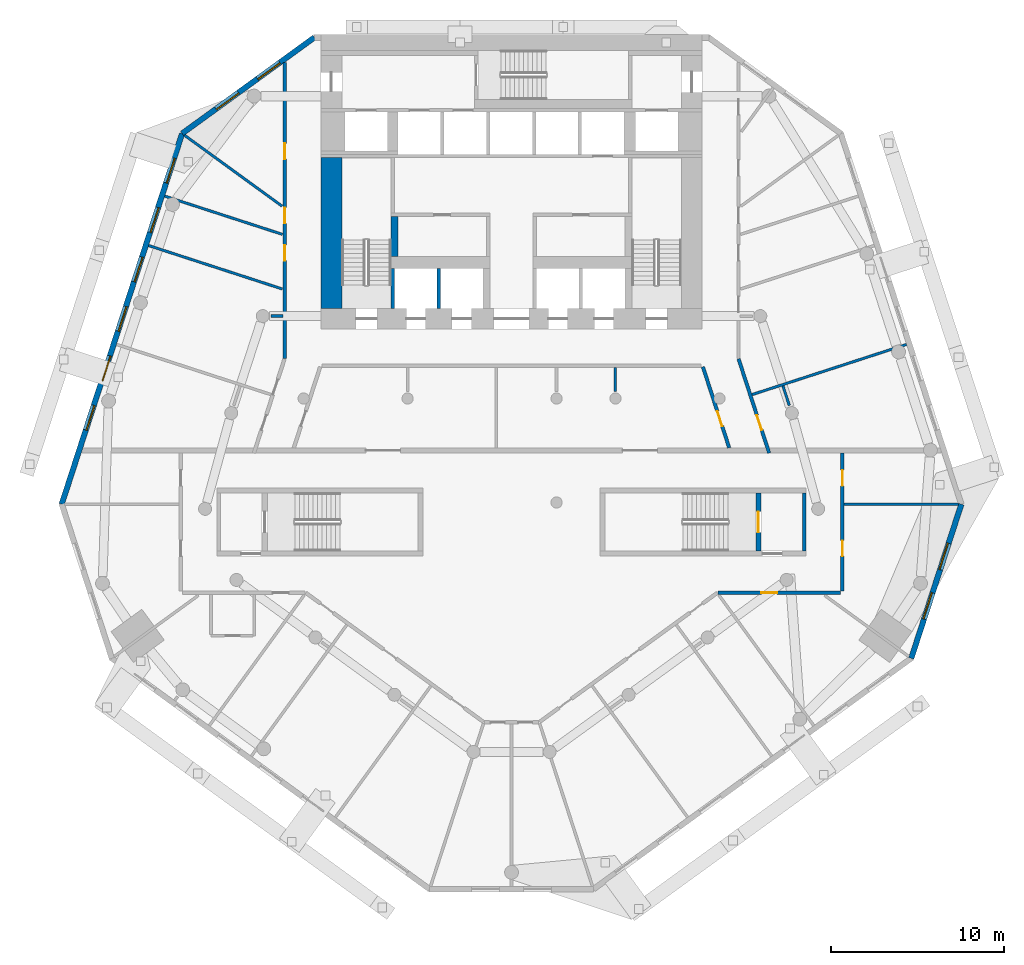
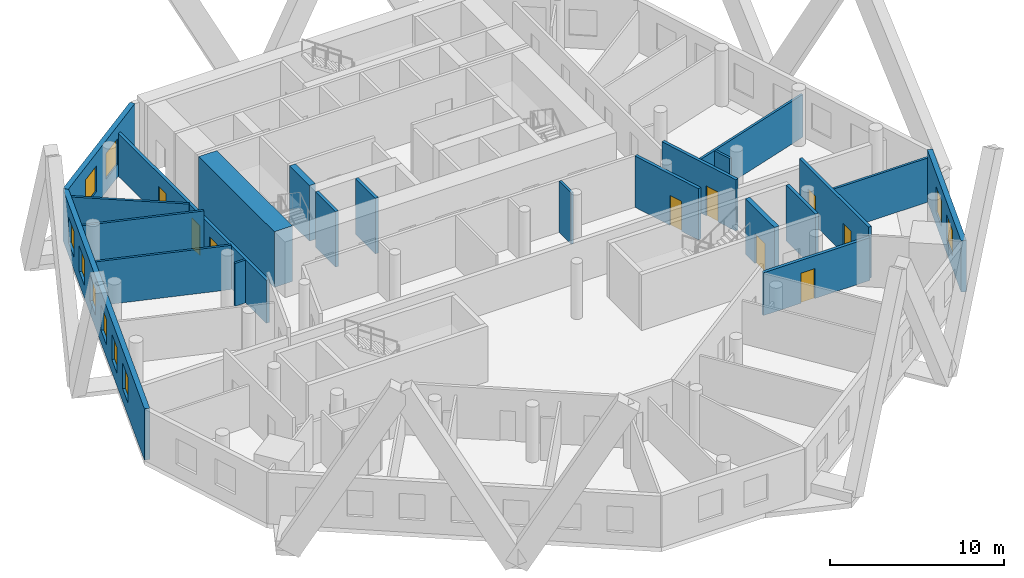
# One storey, part 5 of 10: 22 walls, 10 windows, 9 doors, 19 openings.
"""IFC4 building model written with IfcOpenShell, lengths in metres."""

import ifcopenshell
import ifcopenshell.guid

model = None  # the IFC model being written
_history = None  # IfcOwnerHistory: only IFC2X3 demands one
_inside = {}  # id of a spatial element -> (the spatial element, [elements in it])
_under = {}  # id of a project, library or spatial element -> (it, [spatial elements below it])
_declared = {}  # id of a project -> (the project, [libraries it declares])
_typed = {}  # id of a type object -> (the type object, [elements of that type])
_made_of = {}  # id of a material, layer set ... -> (it, [elements and type objects made of it])


def new_model(schema):
    """Start an empty IFC model of exactly this schema.

    Asked for "IFC4X3", IfcOpenShell would pick the latest addendum, in which some entities
    have other attributes; the version numbers below select the first issue.
    IFC2X3 requires an IfcOwnerHistory on every rooted entity: one is made here for all.
    """
    global model, _history
    if schema == "IFC4X3":
        model = ifcopenshell.file(schema_version=(4, 3, 0, 0))
    else:
        model = ifcopenshell.file(schema=schema)
    _inside.clear()
    _under.clear()
    _declared.clear()
    _typed.clear()
    _made_of.clear()
    _history = None
    if model.schema == "IFC2X3":
        org = make("IfcOrganization", Name="unknown")
        user = make(
            "IfcPersonAndOrganization",
            ThePerson=make("IfcPerson", FamilyName="unknown"),
            TheOrganization=org,
        )
        app = make(
            "IfcApplication",
            ApplicationDeveloper=org,
            Version="unknown",
            ApplicationFullName="unknown",
            ApplicationIdentifier="unknown",
        )
        _history = make(
            "IfcOwnerHistory",
            OwningUser=user,
            OwningApplication=app,
            ChangeAction="ADDED",
            CreationDate=0,
        )
    return model


def make(cls, **values):
    """One entity of the class cls with the attributes given. An attribute that is None is left unset."""
    return model.create_entity(
        cls, **{name: value for name, value in values.items() if value is not None}
    )


def rooted(cls, **values):
    """An entity with a GlobalId (a new one), such as an element, a storey or a relation."""
    return make(cls, GlobalId=ifcopenshell.guid.new(), OwnerHistory=_history, **values)


def si_unit(unit_type, name, prefix=None):
    """IfcSIUnit, for example si_unit("LENGTHUNIT", "METRE", prefix="MILLI")."""
    return make("IfcSIUnit", UnitType=unit_type, Prefix=prefix, Name=name)


def assignment(units):
    """IfcUnitAssignment: the units of a project."""
    return None if units is None else make("IfcUnitAssignment", Units=units)


def point(xyz):
    """IfcCartesianPoint."""
    return None if xyz is None else make("IfcCartesianPoint", Coordinates=xyz)


def direction(xyz):
    """IfcDirection."""
    return None if xyz is None else make("IfcDirection", DirectionRatios=xyz)


def frame(location, z_axis=None, x_axis=None):
    """IfcAxis2Placement3D, a coordinate frame: its origin and axes. An axis left out is left unset."""
    return make(
        "IfcAxis2Placement3D",
        Location=point(location),
        Axis=direction(z_axis),
        RefDirection=direction(x_axis),
    )


def frame_2d(location, x_axis=None):
    """IfcAxis2Placement2D, a coordinate frame in the plane: its origin and x axis."""
    return make(
        "IfcAxis2Placement2D", Location=point(location), RefDirection=direction(x_axis)
    )


def origin():
    """The frame at (0, 0, 0) with its axes left unset."""
    return frame((0.0, 0.0, 0.0))


def place(relative_to, where):
    """IfcLocalPlacement: puts the frame where relative to a parent placement (None: the world)."""
    return make(
        "IfcLocalPlacement", PlacementRelTo=relative_to, RelativePlacement=where
    )


def context(
    kind, dimensions, precision=None, world=None, true_north=None, identifier=None
):
    """IfcGeometricRepresentationContext, for example the 3D "Model" context."""
    return make(
        "IfcGeometricRepresentationContext",
        ContextIdentifier=identifier,
        ContextType=kind,
        CoordinateSpaceDimension=dimensions,
        Precision=precision,
        WorldCoordinateSystem=world,
        TrueNorth=true_north,
    )


def subcontext(parent, identifier, kind, view, scale=None):
    """IfcGeometricRepresentationSubContext, for example "Body" below "Model"."""
    return make(
        "IfcGeometricRepresentationSubContext",
        ContextIdentifier=identifier,
        ContextType=kind,
        ParentContext=parent,
        TargetScale=scale,
        TargetView=view,
    )


def project(units=None, contexts=None):
    """IfcProject with its units and contexts."""
    return rooted(
        "IfcProject",
        Name="project",
        RepresentationContexts=contexts,
        UnitsInContext=assignment(units),
    )


def spatial(cls, under=None, at=None, **own):
    """A site, building, storey or space (cls), placed at a placement, below another one or the project."""
    s = rooted(cls, ObjectPlacement=at, **own)
    if under is not None:
        _under.setdefault(under.id(), (under, []))[1].append(s)
    return s


def profile(cls, at=None, kind="AREA", **sizes):
    """A parametric profile (cls). Its sizes go by their IFC names, for example OverallWidth=200.0."""
    return make(cls, ProfileType=kind, Position=at, **sizes)


def rectangle(**sizes):
    """IfcRectangleProfileDef."""
    return profile("IfcRectangleProfileDef", **sizes)


def extrude(swept, where, along, depth):
    """IfcExtrudedAreaSolid: the profile swept, set in the frame where, extruded along a direction by depth."""
    return make(
        "IfcExtrudedAreaSolid",
        SweptArea=swept,
        Position=where,
        ExtrudedDirection=direction(along),
        Depth=depth,
    )


def shape(context_of_items, identifier, shape_type, items):
    """IfcShapeRepresentation: the items that make up one representation, for example the "Body"."""
    return make(
        "IfcShapeRepresentation",
        ContextOfItems=context_of_items,
        RepresentationIdentifier=identifier,
        RepresentationType=shape_type,
        Items=items,
    )


def material(Name=None, Category=None):
    """IfcMaterial."""
    return make("IfcMaterial", Name=Name, Category=Category)


def layer(
    of_material, thickness, ventilated=None, Name=None, Category=None, Priority=None
):
    """IfcMaterialLayer: one layer of a wall or slab, of a material (None: an air gap)."""
    return make(
        "IfcMaterialLayer",
        Material=of_material,
        LayerThickness=thickness,
        IsVentilated=ventilated,
        Name=Name,
        Category=Category,
        Priority=Priority,
    )


def layer_set(layers, Name=None):
    """IfcMaterialLayerSet."""
    return make("IfcMaterialLayerSet", MaterialLayers=layers, LayerSetName=Name)


def made_of(thing, what):
    """Note that an element or type object is made of a material, layer set ...; save() writes the relation."""
    if what is not None:
        _made_of.setdefault(what.id(), (what, []))[1].append(thing)
    return thing


def type_object(cls, material=None, **own):
    """A type object (cls), such as IfcWallType, which elements share."""
    return made_of(rooted(cls, **own), material)


def element(
    cls,
    number,
    at=None,
    inside=None,
    cuts=None,
    type_object=None,
    material=None,
    context=None,
    identifier="Body",
    shape_type=None,
    held_by="IfcProductDefinitionShape",
    body=None,
    shapes=None,
    **own,
):
    """One element of the class cls, such as IfcWall. Its Tag is "e" and its number.

    at: its placement. inside: the storey or other place that contains it. cuts: it is an
    opening in that element (IfcRelVoidsElement). A single representation is given by context,
    identifier, shape_type and body (its items); several are given by shapes. held_by: the class
    of the entity that holds the representations. save() writes the other relations.
    """
    e = rooted(cls, Tag="e%d" % number, ObjectPlacement=at, **own)
    if body is not None:
        shapes = [shape(context, identifier, shape_type, body)]
    if shapes is not None:
        e.Representation = make(held_by, Representations=shapes)
    if inside is not None:
        _inside.setdefault(inside.id(), (inside, []))[1].append(e)
    if cuts is not None:
        rooted(
            "IfcRelVoidsElement", RelatingBuildingElement=cuts, RelatedOpeningElement=e
        )
    if type_object is not None:
        _typed.setdefault(type_object.id(), (type_object, []))[1].append(e)
    return made_of(e, material)


def fill(opening, filler):
    """IfcRelFillsElement: the door or window that sits in an opening."""
    return rooted(
        "IfcRelFillsElement",
        RelatingOpeningElement=opening,
        RelatedBuildingElement=filler,
    )


def aggregate(whole, parts):
    """IfcRelAggregates: a whole, such as a stair, and the parts it consists of."""
    return rooted("IfcRelAggregates", RelatingObject=whole, RelatedObjects=parts)


def save(model, path):
    """Write the relations noted so far, then the file.

    IfcRelAggregates (storeys below a building ...), IfcRelContainedInSpatialStructure (elements
    in a storey), IfcRelDefinesByType, IfcRelAssociatesMaterial and IfcRelDeclares: one each for
    every whole, place, type object, material and project.
    """
    for whole, parts in _under.values():
        aggregate(whole, parts)
    for where, things in _inside.values():
        rooted(
            "IfcRelContainedInSpatialStructure",
            RelatedElements=things,
            RelatingStructure=where,
        )
    for kind, things in _typed.values():
        rooted("IfcRelDefinesByType", RelatedObjects=things, RelatingType=kind)
    for what, things in _made_of.values():
        rooted("IfcRelAssociatesMaterial", RelatedObjects=things, RelatingMaterial=what)
    for by, libraries in _declared.values():
        rooted("IfcRelDeclares", RelatingContext=by, RelatedDefinitions=libraries)
    model.write(path)


model = new_model("IFC4")

# Units and contexts
model_context = context("Model", 3, precision=1e-05, world=origin(), true_north=direction((0.0, 1.0)))
body_context = subcontext(model_context, "Body", "Model", "MODEL_VIEW")
ifc_project = project(units=[si_unit("LENGTHUNIT", "METRE"), si_unit("AREAUNIT", "SQUARE_METRE"), si_unit("VOLUMEUNIT", "CUBIC_METRE"), si_unit("PLANEANGLEUNIT", "RADIAN"), si_unit("MASSUNIT", "GRAM", prefix="KILO")], contexts=[model_context])

# Site, building, storey
site_placement = place(None, origin())
site = spatial("IfcSite", under=ifc_project, at=site_placement, CompositionType="ELEMENT")
building_placement = place(site_placement, origin())
building = spatial("IfcBuilding", under=site, at=building_placement, Name="White Candle Pilgrim Tower", CompositionType="ELEMENT")
storey_placement = place(building_placement, frame((0.0, 0.0, 66.300048828125)))
storey = spatial("IfcBuildingStorey", under=building, at=storey_placement, Name="L13", CompositionType="ELEMENT", Elevation=66.300048828125)

# Wall
ifc_material_1 = material(Name="Concrete C70/85", Category="concrete")
ifc_layer_1 = layer(ifc_material_1, 0.199951171875)
ifc_layer_set_1 = layer_set([ifc_layer_1], Name="Core wall 200 mm Concrete C70/85")
wall_type_1 = type_object("IfcWallType", Name="Core wall 200 mm Concrete C70/85", PredefinedType="SHEAR", material=ifc_layer_set_1)
wall_1_placement = place(storey_placement, frame((86.89990234375, 58.199951171875, 0.0), z_axis=(0.0, 0.0, 1.0), x_axis=(0.0, 1.0, 0.0)))
element("IfcWall", 1, at=wall_1_placement, inside=storey, type_object=wall_type_1, Name="WL-L13-C08", PredefinedType="SHEAR", context=body_context, shape_type="SweptSolid", body=[
    extrude(rectangle(XDim=3.35009765625, YDim=0.199951171875, at=frame_2d((1.675048828125, 0.0))), origin(), (0.0, 0.0, 1.0), 3.89990234375),
])

# Wall, openings, doors
ifc_material_2 = material(Name="Gypsum board on steel studs", Category="steel")
ifc_layer_2 = layer(ifc_material_2, 0.199951171875)
ifc_layer_set_2 = layer_set([ifc_layer_2], Name="Corridor wall 200 mm EI 45")
wall_type_2 = type_object("IfcWallType", Name="Corridor wall 200 mm EI 45", PredefinedType="PARTITIONING", material=ifc_layer_set_2)
wall_2_placement = place(storey_placement, frame((56.89990234375, 69.319091796875, 0.0), z_axis=(0.0, 0.0, 1.0), x_axis=(0.0, 1.0, 0.0)))
wall_2 = element("IfcWall", 2, at=wall_2_placement, inside=storey, type_object=wall_type_2, Name="WL-L13-P003", PredefinedType="PARTITIONING", context=body_context, shape_type="SweptSolid", body=[
    extrude(rectangle(XDim=17.0771484375, YDim=0.199951171875, at=frame_2d((8.53857421875, 0.0))), origin(), (0.0, 0.0, 1.0), 3.0),
])
opening_1_placement = place(wall_2_placement, frame((5.642578125, 0.0, 0.0)))
opening_1 = element("IfcOpeningElement", 3, at=opening_1_placement, cuts=wall_2, Name="Opening T04-119", PredefinedType="OPENING", context=body_context, shape_type="SweptSolid", body=[
    extrude(rectangle(XDim=0.89990234375, YDim=2.10009765625, at=frame_2d((0.449951171875, 1.050048828125))), frame((0.0, 0.10986328125, 0.0), z_axis=(0.0, -1.0, 0.0), x_axis=(1.0, 0.0, 0.0)), (0.0, 0.0, 1.0), 0.219970703125),
])
opening_2_placement = place(wall_2_placement, frame((7.797119140625, 0.0, 0.0)))
opening_2 = element("IfcOpeningElement", 4, at=opening_2_placement, cuts=wall_2, Name="Opening T04-120", PredefinedType="OPENING", context=body_context, shape_type="SweptSolid", body=[
    extrude(rectangle(XDim=0.89990234375, YDim=2.10009765625, at=frame_2d((0.449951171875, 1.050048828125))), frame((0.0, 0.10986328125, 0.0), z_axis=(0.0, -1.0, 0.0), x_axis=(1.0, 0.0, 0.0)), (0.0, 0.0, 1.0), 0.219970703125),
])
opening_3_placement = place(wall_2_placement, frame((11.50390625, 0.0, 0.0)))
opening_3 = element("IfcOpeningElement", 5, at=opening_3_placement, cuts=wall_2, Name="Opening T04-121", PredefinedType="OPENING", context=body_context, shape_type="SweptSolid", body=[
    extrude(rectangle(XDim=0.89990234375, YDim=2.10009765625, at=frame_2d((0.449951171875, 1.050048828125))), frame((0.0, 0.10986328125, 0.0), z_axis=(0.0, -1.0, 0.0), x_axis=(1.0, 0.0, 0.0)), (0.0, 0.0, 1.0), 0.219970703125),
])
ifc_material_3 = material(Name="Steel door leaf", Category="steel")
door_type_1 = type_object("IfcDoorType", Name="Fire door 900 x 2100 EI 30", OperationType="NOTDEFINED", PredefinedType="DOOR", material=ifc_material_3)
door_1_placement = place(opening_1_placement, origin())
door_1 = element("IfcDoor", 6, at=door_1_placement, inside=storey, type_object=door_type_1, Name="Door T04-119", OperationType="SINGLE_SWING_LEFT", OverallHeight=2.10009765625, OverallWidth=0.89990234375, PredefinedType="DOOR", context=body_context, shape_type="SweptSolid", body=[
    extrude(rectangle(XDim=0.89990234375, YDim=2.10009765625, at=frame_2d((0.449951171875, 1.050048828125))), frame((0.0, 0.02490234375, 0.0), z_axis=(0.0, -1.0, 0.0), x_axis=(1.0, 0.0, 0.0)), (0.0, 0.0, 1.0), 0.050048828125),
])
fill(opening_1, door_1)
door_2_placement = place(opening_2_placement, origin())
door_2 = element("IfcDoor", 7, at=door_2_placement, inside=storey, type_object=door_type_1, Name="Door T04-120", OperationType="SINGLE_SWING_RIGHT", OverallHeight=2.10009765625, OverallWidth=0.89990234375, PredefinedType="DOOR", context=body_context, shape_type="SweptSolid", body=[
    extrude(rectangle(XDim=0.89990234375, YDim=2.10009765625, at=frame_2d((0.449951171875, 1.050048828125))), frame((0.0, 0.02490234375, 0.0), z_axis=(0.0, -1.0, 0.0), x_axis=(1.0, 0.0, 0.0)), (0.0, 0.0, 1.0), 0.050048828125),
])
fill(opening_2, door_2)
door_3_placement = place(opening_3_placement, origin())
door_3 = element("IfcDoor", 8, at=door_3_placement, inside=storey, type_object=door_type_1, Name="Door T04-121", OperationType="SINGLE_SWING_LEFT", OverallHeight=2.10009765625, OverallWidth=0.89990234375, PredefinedType="DOOR", context=body_context, shape_type="SweptSolid", body=[
    extrude(rectangle(XDim=0.89990234375, YDim=2.10009765625, at=frame_2d((0.449951171875, 1.050048828125))), frame((0.0, 0.02490234375, 0.0), z_axis=(0.0, -1.0, 0.0), x_axis=(1.0, 0.0, 0.0)), (0.0, 0.0, 1.0), 0.050048828125),
])
fill(opening_3, door_3)

# Wall, opening, door
wall_3_placement = place(storey_placement, frame((83.10498046875, 69.2880859375, 0.0), z_axis=(0.0, 0.0, 1.0), x_axis=(0.309006902183, -0.951059795388, 0.0)))
wall_3 = element("IfcWall", 9, at=wall_3_placement, inside=storey, type_object=wall_type_2, Name="WL-L13-P005", PredefinedType="PARTITIONING", context=body_context, shape_type="SweptSolid", body=[
    extrude(rectangle(XDim=5.7177734375, YDim=0.199951171875, at=frame_2d((2.85888671875, 0.0))), origin(), (0.0, 0.0, 1.0), 3.599853515625),
])
opening_4_placement = place(wall_3_placement, frame((3.419677734375, 0.0, 0.0)))
opening_4 = element("IfcOpeningElement", 10, at=opening_4_placement, cuts=wall_3, Name="Opening T04-127", PredefinedType="OPENING", context=body_context, shape_type="SweptSolid", body=[
    extrude(rectangle(XDim=0.89990234375, YDim=2.10009765625, at=frame_2d((0.449951171875, 1.050048828125))), frame((0.0, 0.10986328125, 0.0), z_axis=(0.0, -1.0, 0.0), x_axis=(1.0, 0.0, 0.0)), (0.0, 0.0, 1.0), 0.219970703125),
])
door_4_placement = place(opening_4_placement, origin())
door_4 = element("IfcDoor", 11, at=door_4_placement, inside=storey, type_object=door_type_1, Name="Door T04-127", OperationType="SINGLE_SWING_LEFT", OverallHeight=2.10009765625, OverallWidth=0.89990234375, PredefinedType="DOOR", context=body_context, shape_type="SweptSolid", body=[
    extrude(rectangle(XDim=0.89990234375, YDim=2.10009765625, at=frame_2d((0.449951171875, 1.050048828125))), frame((0.0, 0.02490234375, 0.0), z_axis=(0.0, -1.0, 0.0), x_axis=(1.0, 0.0, 0.0)), (0.0, 0.0, 1.0), 0.050048828125),
])
fill(opening_4, door_4)

# Wall, openings, doors
wall_4_placement = place(storey_placement, frame((89.10009765625, 63.85009765625, 0.0), z_axis=(0.0, 0.0, 1.0), x_axis=(0.0, -1.0, 0.0)))
wall_4 = element("IfcWall", 12, at=wall_4_placement, inside=storey, type_object=wall_type_2, Name="WL-L13-P006", PredefinedType="PARTITIONING", context=body_context, shape_type="SweptSolid", body=[
    extrude(rectangle(XDim=7.9501953125, YDim=0.199951171875, at=frame_2d((3.97509765625, 0.0))), origin(), (0.0, 0.0, 1.0), 3.599853515625),
])
opening_5_placement = place(wall_4_placement, frame((5.048095703125, 0.0, 0.0)))
opening_5 = element("IfcOpeningElement", 13, at=opening_5_placement, cuts=wall_4, Name="Opening T04-113", PredefinedType="OPENING", context=body_context, shape_type="SweptSolid", body=[
    extrude(rectangle(XDim=0.89990234375, YDim=2.10009765625, at=frame_2d((0.449951171875, 1.050048828125))), frame((0.0, 0.10986328125, 0.0), z_axis=(0.0, -1.0, 0.0), x_axis=(1.0, 0.0, 0.0)), (0.0, 0.0, 1.0), 0.219970703125),
])
opening_6_placement = place(wall_4_placement, frame((0.985595703125, 0.0, 0.0)))
opening_6 = element("IfcOpeningElement", 14, at=opening_6_placement, cuts=wall_4, Name="Opening T04-128", PredefinedType="OPENING", context=body_context, shape_type="SweptSolid", body=[
    extrude(rectangle(XDim=0.89990234375, YDim=2.10009765625, at=frame_2d((0.449951171875, 1.050048828125))), frame((0.0, 0.10986328125, 0.0), z_axis=(0.0, -1.0, 0.0), x_axis=(1.0, 0.0, 0.0)), (0.0, 0.0, 1.0), 0.219970703125),
])
door_5_placement = place(opening_5_placement, origin())
door_5 = element("IfcDoor", 15, at=door_5_placement, inside=storey, type_object=door_type_1, Name="Door T04-113", OperationType="SINGLE_SWING_LEFT", OverallHeight=2.10009765625, OverallWidth=0.89990234375, PredefinedType="DOOR", context=body_context, shape_type="SweptSolid", body=[
    extrude(rectangle(XDim=0.89990234375, YDim=2.10009765625, at=frame_2d((0.449951171875, 1.050048828125))), frame((0.0, 0.02490234375, 0.0), z_axis=(0.0, -1.0, 0.0), x_axis=(1.0, 0.0, 0.0)), (0.0, 0.0, 1.0), 0.050048828125),
])
fill(opening_5, door_5)
door_6_placement = place(opening_6_placement, origin())
door_6 = element("IfcDoor", 16, at=door_6_placement, inside=storey, type_object=door_type_1, Name="Door T04-128", OperationType="SINGLE_SWING_RIGHT", OverallHeight=2.10009765625, OverallWidth=0.89990234375, PredefinedType="DOOR", context=body_context, shape_type="SweptSolid", body=[
    extrude(rectangle(XDim=0.89990234375, YDim=2.10009765625, at=frame_2d((0.449951171875, 1.050048828125))), frame((0.0, 0.02490234375, 0.0), z_axis=(0.0, -1.0, 0.0), x_axis=(1.0, 0.0, 0.0)), (0.0, 0.0, 1.0), 0.050048828125),
])
fill(opening_6, door_6)

# Wall, opening, door
wall_5_placement = place(storey_placement, frame((89.0, 55.800048828125, 0.0), z_axis=(0.0, 0.0, 1.0), x_axis=(-1.0, 0.0, 0.0)))
wall_5 = element("IfcWall", 17, at=wall_5_placement, inside=storey, type_object=wall_type_2, Name="WL-L13-P007", PredefinedType="PARTITIONING", context=body_context, shape_type="SweptSolid", body=[
    extrude(rectangle(XDim=7.07080078125, YDim=0.199951171875, at=frame_2d((3.535400390625, 0.0))), origin(), (0.0, 0.0, 1.0), 3.0),
])
opening_7_placement = place(wall_5_placement, frame((3.67626953125, 0.0, 0.0)))
opening_7 = element("IfcOpeningElement", 18, at=opening_7_placement, cuts=wall_5, Name="Opening T04-112", PredefinedType="OPENING", context=body_context, shape_type="SweptSolid", body=[
    extrude(rectangle(XDim=0.89990234375, YDim=2.10009765625, at=frame_2d((0.449951171875, 1.050048828125))), frame((0.0, 0.10986328125, 0.0), z_axis=(0.0, -1.0, 0.0), x_axis=(1.0, 0.0, 0.0)), (0.0, 0.0, 1.0), 0.219970703125),
])
door_7_placement = place(opening_7_placement, origin())
door_7 = element("IfcDoor", 19, at=door_7_placement, inside=storey, type_object=door_type_1, Name="Door T04-112", OperationType="SINGLE_SWING_RIGHT", OverallHeight=2.10009765625, OverallWidth=0.89990234375, PredefinedType="DOOR", context=body_context, shape_type="SweptSolid", body=[
    extrude(rectangle(XDim=0.89990234375, YDim=2.10009765625, at=frame_2d((0.449951171875, 1.050048828125))), frame((0.0, 0.02490234375, 0.0), z_axis=(0.0, -1.0, 0.0), x_axis=(1.0, 0.0, 0.0)), (0.0, 0.0, 1.0), 0.050048828125),
])
fill(opening_7, door_7)

wall_6_placement = place(storey_placement, frame((82.56640625, 64.14990234375, 0.0), z_axis=(0.0, 0.0, 1.0), x_axis=(-0.309031112369, 0.951051928965, 0.0)))
wall_6 = element("IfcWall", 20, at=wall_6_placement, inside=storey, type_object=wall_type_2, Name="WL-L13-P015", PredefinedType="PARTITIONING", context=body_context, shape_type="SweptSolid", body=[
    extrude(rectangle(XDim=4.921875, YDim=0.199951171875, at=frame_2d((2.4609375, 0.0))), origin(), (0.0, 0.0, 1.0), 3.599853515625),
])
opening_8_placement = place(wall_6_placement, frame((1.32177734375, 0.0, 0.0)))
opening_8 = element("IfcOpeningElement", 21, at=opening_8_placement, cuts=wall_6, Name="Opening T04-129", PredefinedType="OPENING", context=body_context, shape_type="SweptSolid", body=[
    extrude(rectangle(XDim=0.89990234375, YDim=2.10009765625, at=frame_2d((0.449951171875, 1.050048828125))), frame((0.0, 0.10986328125, 0.0), z_axis=(0.0, -1.0, 0.0), x_axis=(1.0, 0.0, 0.0)), (0.0, 0.0, 1.0), 0.219970703125),
])
door_8_placement = place(opening_8_placement, origin())
door_8 = element("IfcDoor", 22, at=door_8_placement, inside=storey, type_object=door_type_1, Name="Door T04-129", OperationType="SINGLE_SWING_LEFT", OverallHeight=2.10009765625, OverallWidth=0.89990234375, PredefinedType="DOOR", context=body_context, shape_type="SweptSolid", body=[
    extrude(rectangle(XDim=0.89990234375, YDim=2.10009765625, at=frame_2d((0.449951171875, 1.050048828125))), frame((0.0, 0.02490234375, 0.0), z_axis=(0.0, -1.0, 0.0), x_axis=(1.0, 0.0, 0.0)), (0.0, 0.0, 1.0), 0.050048828125),
])
fill(opening_8, door_8)

# Wall, openings, windows
ifc_material_4 = material(Name="Precast concrete C40/50", Category="concrete")
ifc_layer_3 = layer(ifc_material_4, 0.320068359375)
ifc_layer_set_3 = layer_set([ifc_layer_3], Name="Facade wall EW1 precast concrete C40/50 pier wall with timber-lined reveals")
wall_type_3 = type_object("IfcWallType", Name="Facade wall EW1 precast concrete C40/50 pier wall with timber-lined reveals", PredefinedType="SOLIDWALL", material=ifc_layer_set_3)
wall_7_placement = place(storey_placement, frame((93.073974609375, 52.005126953125, 0.0), z_axis=(0.0, 0.0, 1.0), x_axis=(0.309024710052, 0.951054009285, 0.0)))
wall_7 = element("IfcWall", 23, at=wall_7_placement, inside=storey, type_object=wall_type_3, Name="Facade wall L13 E chamfer", PredefinedType="SOLIDWALL", context=body_context, shape_type="SweptSolid", body=[
    extrude(rectangle(XDim=9.3564453125, YDim=0.320068359375, at=frame_2d((4.67822265625, 0.0))), origin(), (0.0, 0.0, 1.0), 3.599853515625),
])
opening_9_placement = place(wall_7_placement, frame((2.37841796875, 0.0, 0.89990234375)))
opening_9 = element("IfcOpeningElement", 24, at=opening_9_placement, cuts=wall_7, Name="Opening W2", PredefinedType="OPENING", context=body_context, shape_type="SweptSolid", body=[
    extrude(rectangle(XDim=1.60009765625, YDim=1.800048828125, at=frame_2d((0.800048828125, 0.89990234375))), frame((0.0, 0.169921875, 0.0), z_axis=(0.0, -1.0, 0.0), x_axis=(1.0, 0.0, 0.0)), (0.0, 0.0, 1.0), 0.340087890625),
])
opening_10_placement = place(wall_7_placement, frame((5.37841796875, 0.0, 0.89990234375)))
opening_10 = element("IfcOpeningElement", 25, at=opening_10_placement, cuts=wall_7, Name="Opening W2", PredefinedType="OPENING", context=body_context, shape_type="SweptSolid", body=[
    extrude(rectangle(XDim=1.60009765625, YDim=1.800048828125, at=frame_2d((0.800048828125, 0.89990234375))), frame((0.0, 0.169921875, 0.0), z_axis=(0.0, -1.0, 0.0), x_axis=(1.0, 0.0, 0.0)), (0.0, 0.0, 1.0), 0.340087890625),
])
ifc_material_5 = material(Name="Timber frame with triple glazing", Category="wood")
window_type_1 = type_object("IfcWindowType", Name="Window W2 1600x1800 timber frame triple glazing", PartitioningType="SINGLE_PANEL", PredefinedType="WINDOW", material=ifc_material_5)
window_1_placement = place(opening_9_placement, origin())
window_1 = element("IfcWindow", 26, at=window_1_placement, inside=storey, type_object=window_type_1, Name="Window W2 L13 E chamfer 1", OverallHeight=1.800048828125, OverallWidth=1.60009765625, PartitioningType="SINGLE_PANEL", PredefinedType="WINDOW", context=body_context, shape_type="SweptSolid", body=[
    extrude(rectangle(XDim=1.60009765625, YDim=1.800048828125, at=frame_2d((0.800048828125, 0.89990234375))), frame((0.0, 0.070068359375, 0.0), z_axis=(0.0, -1.0, 0.0), x_axis=(1.0, 0.0, 0.0)), (0.0, 0.0, 1.0), 0.06005859375),
])
fill(opening_9, window_1)
window_2_placement = place(opening_10_placement, origin())
window_2 = element("IfcWindow", 27, at=window_2_placement, inside=storey, type_object=window_type_1, Name="Window W2 L13 E chamfer 2", OverallHeight=1.800048828125, OverallWidth=1.60009765625, PartitioningType="SINGLE_PANEL", PredefinedType="WINDOW", context=body_context, shape_type="SweptSolid", body=[
    extrude(rectangle(XDim=1.60009765625, YDim=1.800048828125, at=frame_2d((0.800048828125, 0.89990234375))), frame((0.0, 0.070068359375, 0.0), z_axis=(0.0, -1.0, 0.0), x_axis=(1.0, 0.0, 0.0)), (0.0, 0.0, 1.0), 0.06005859375),
])
fill(opening_10, window_2)

wall_8_placement = place(storey_placement, frame((58.614990234375, 87.840087890625, 0.0), z_axis=(0.0, 0.0, 1.0), x_axis=(-0.809013639072, -0.587789870443, 0.0)))
wall_8 = element("IfcWall", 28, at=wall_8_placement, inside=storey, type_object=wall_type_3, Name="Facade wall L13 NW chamfer", PredefinedType="SOLIDWALL", context=body_context, shape_type="SweptSolid", body=[
    extrude(rectangle(XDim=9.43017578125, YDim=0.320068359375, at=frame_2d((4.715087890625, 0.0))), origin(), (0.0, 0.0, 1.0), 3.599853515625),
])
opening_11_placement = place(wall_8_placement, frame((2.459716796875, 0.0, 0.89990234375)))
opening_11 = element("IfcOpeningElement", 29, at=opening_11_placement, cuts=wall_8, Name="Opening W2", PredefinedType="OPENING", context=body_context, shape_type="SweptSolid", body=[
    extrude(rectangle(XDim=1.60009765625, YDim=1.800048828125, at=frame_2d((0.800048828125, 0.89990234375))), frame((0.0, 0.169921875, 0.0), z_axis=(0.0, -1.0, 0.0), x_axis=(1.0, 0.0, 0.0)), (0.0, 0.0, 1.0), 0.340087890625),
])
opening_12_placement = place(wall_8_placement, frame((5.4150390625, 0.0, 0.89990234375)))
opening_12 = element("IfcOpeningElement", 30, at=opening_12_placement, cuts=wall_8, Name="Opening W2", PredefinedType="OPENING", context=body_context, shape_type="SweptSolid", body=[
    extrude(rectangle(XDim=1.60009765625, YDim=1.800048828125, at=frame_2d((0.800048828125, 0.89990234375))), frame((0.0, 0.169921875, 0.0), z_axis=(0.0, -1.0, 0.0), x_axis=(1.0, 0.0, 0.0)), (0.0, 0.0, 1.0), 0.340087890625),
])
window_3_placement = place(opening_11_placement, origin())
window_3 = element("IfcWindow", 31, at=window_3_placement, inside=storey, type_object=window_type_1, Name="Window W2 L13 NW chamfer 1", OverallHeight=1.800048828125, OverallWidth=1.60009765625, PartitioningType="SINGLE_PANEL", PredefinedType="WINDOW", context=body_context, shape_type="SweptSolid", body=[
    extrude(rectangle(XDim=1.60009765625, YDim=1.800048828125, at=frame_2d((0.800048828125, 0.89990234375))), frame((0.0, 0.070068359375, 0.0), z_axis=(0.0, -1.0, 0.0), x_axis=(1.0, 0.0, 0.0)), (0.0, 0.0, 1.0), 0.06005859375),
])
fill(opening_11, window_3)
window_4_placement = place(opening_12_placement, origin())
window_4 = element("IfcWindow", 32, at=window_4_placement, inside=storey, type_object=window_type_1, Name="Window W2 L13 NW chamfer 2", OverallHeight=1.800048828125, OverallWidth=1.60009765625, PartitioningType="SINGLE_PANEL", PredefinedType="WINDOW", context=body_context, shape_type="SweptSolid", body=[
    extrude(rectangle(XDim=1.60009765625, YDim=1.800048828125, at=frame_2d((0.800048828125, 0.89990234375))), frame((0.0, 0.070068359375, 0.0), z_axis=(0.0, -1.0, 0.0), x_axis=(1.0, 0.0, 0.0)), (0.0, 0.0, 1.0), 0.06005859375),
])
fill(opening_12, window_4)

wall_9_placement = place(storey_placement, frame((50.98583984375, 82.297119140625, 0.0), z_axis=(0.0, 0.0, 1.0), x_axis=(-0.309016374519, -0.951056717698, 0.0)))
wall_9 = element("IfcWall", 33, at=wall_9_placement, inside=storey, type_object=wall_type_3, Name="Facade wall L13 WNW", PredefinedType="SOLIDWALL", context=body_context, shape_type="SweptSolid", body=[
    extrude(rectangle(XDim=22.49462890625, YDim=0.320068359375, at=frame_2d((11.247314453125, 0.0))), origin(), (0.0, 0.0, 1.0), 3.599853515625),
])
opening_13_placement = place(wall_9_placement, frame((1.497314453125, 0.0, 0.89990234375)))
opening_13 = element("IfcOpeningElement", 34, at=opening_13_placement, cuts=wall_9, Name="Opening W1", PredefinedType="OPENING", context=body_context, shape_type="SweptSolid", body=[
    extrude(rectangle(XDim=1.5, YDim=1.800048828125, at=frame_2d((0.75, 0.89990234375))), frame((0.0, 0.169921875, 0.0), z_axis=(0.0, -1.0, 0.0), x_axis=(1.0, 0.0, 0.0)), (0.0, 0.0, 1.0), 0.340087890625),
])
opening_14_placement = place(wall_9_placement, frame((4.497314453125, 0.0, 0.89990234375)))
opening_14 = element("IfcOpeningElement", 35, at=opening_14_placement, cuts=wall_9, Name="Opening W1", PredefinedType="OPENING", context=body_context, shape_type="SweptSolid", body=[
    extrude(rectangle(XDim=1.5, YDim=1.800048828125, at=frame_2d((0.75, 0.89990234375))), frame((0.0, 0.169921875, 0.0), z_axis=(0.0, -1.0, 0.0), x_axis=(1.0, 0.0, 0.0)), (0.0, 0.0, 1.0), 0.340087890625),
])
opening_15_placement = place(wall_9_placement, frame((7.497314453125, 0.0, 0.89990234375)))
opening_15 = element("IfcOpeningElement", 36, at=opening_15_placement, cuts=wall_9, Name="Opening W1", PredefinedType="OPENING", context=body_context, shape_type="SweptSolid", body=[
    extrude(rectangle(XDim=1.5, YDim=1.800048828125, at=frame_2d((0.75, 0.89990234375))), frame((0.0, 0.169921875, 0.0), z_axis=(0.0, -1.0, 0.0), x_axis=(1.0, 0.0, 0.0)), (0.0, 0.0, 1.0), 0.340087890625),
])
opening_16_placement = place(wall_9_placement, frame((10.497314453125, 0.0, 0.89990234375)))
opening_16 = element("IfcOpeningElement", 37, at=opening_16_placement, cuts=wall_9, Name="Opening W1", PredefinedType="OPENING", context=body_context, shape_type="SweptSolid", body=[
    extrude(rectangle(XDim=1.5, YDim=1.800048828125, at=frame_2d((0.75, 0.89990234375))), frame((0.0, 0.169921875, 0.0), z_axis=(0.0, -1.0, 0.0), x_axis=(1.0, 0.0, 0.0)), (0.0, 0.0, 1.0), 0.340087890625),
])
opening_17_placement = place(wall_9_placement, frame((13.497314453125, 0.0, 0.89990234375)))
opening_17 = element("IfcOpeningElement", 38, at=opening_17_placement, cuts=wall_9, Name="Opening W1", PredefinedType="OPENING", context=body_context, shape_type="SweptSolid", body=[
    extrude(rectangle(XDim=1.5, YDim=1.800048828125, at=frame_2d((0.75, 0.89990234375))), frame((0.0, 0.169921875, 0.0), z_axis=(0.0, -1.0, 0.0), x_axis=(1.0, 0.0, 0.0)), (0.0, 0.0, 1.0), 0.340087890625),
])
opening_18_placement = place(wall_9_placement, frame((16.497314453125, 0.0, 0.89990234375)))
opening_18 = element("IfcOpeningElement", 39, at=opening_18_placement, cuts=wall_9, Name="Opening W1", PredefinedType="OPENING", context=body_context, shape_type="SweptSolid", body=[
    extrude(rectangle(XDim=1.5, YDim=1.800048828125, at=frame_2d((0.75, 0.89990234375))), frame((0.0, 0.169921875, 0.0), z_axis=(0.0, -1.0, 0.0), x_axis=(1.0, 0.0, 0.0)), (0.0, 0.0, 1.0), 0.340087890625),
])
window_type_2 = type_object("IfcWindowType", Name="Window W1 1500x1800 timber frame triple glazing", PartitioningType="SINGLE_PANEL", PredefinedType="WINDOW", material=ifc_material_5)
window_5_placement = place(opening_13_placement, origin())
window_5 = element("IfcWindow", 40, at=window_5_placement, inside=storey, type_object=window_type_2, Name="Window W1 L13 WNW 1", OverallHeight=1.800048828125, OverallWidth=1.5, PartitioningType="SINGLE_PANEL", PredefinedType="WINDOW", context=body_context, shape_type="SweptSolid", body=[
    extrude(rectangle(XDim=1.5, YDim=1.800048828125, at=frame_2d((0.75, 0.89990234375))), frame((0.0, 0.070068359375, 0.0), z_axis=(0.0, -1.0, 0.0), x_axis=(1.0, 0.0, 0.0)), (0.0, 0.0, 1.0), 0.06005859375),
])
fill(opening_13, window_5)
window_6_placement = place(opening_14_placement, origin())
window_6 = element("IfcWindow", 41, at=window_6_placement, inside=storey, type_object=window_type_2, Name="Window W1 L13 WNW 2", OverallHeight=1.800048828125, OverallWidth=1.5, PartitioningType="SINGLE_PANEL", PredefinedType="WINDOW", context=body_context, shape_type="SweptSolid", body=[
    extrude(rectangle(XDim=1.5, YDim=1.800048828125, at=frame_2d((0.75, 0.89990234375))), frame((0.0, 0.070068359375, 0.0), z_axis=(0.0, -1.0, 0.0), x_axis=(1.0, 0.0, 0.0)), (0.0, 0.0, 1.0), 0.06005859375),
])
fill(opening_14, window_6)
window_7_placement = place(opening_15_placement, origin())
window_7 = element("IfcWindow", 42, at=window_7_placement, inside=storey, type_object=window_type_2, Name="Window W1 L13 WNW 3", OverallHeight=1.800048828125, OverallWidth=1.5, PartitioningType="SINGLE_PANEL", PredefinedType="WINDOW", context=body_context, shape_type="SweptSolid", body=[
    extrude(rectangle(XDim=1.5, YDim=1.800048828125, at=frame_2d((0.75, 0.89990234375))), frame((0.0, 0.070068359375, 0.0), z_axis=(0.0, -1.0, 0.0), x_axis=(1.0, 0.0, 0.0)), (0.0, 0.0, 1.0), 0.06005859375),
])
fill(opening_15, window_7)
window_8_placement = place(opening_16_placement, origin())
window_8 = element("IfcWindow", 43, at=window_8_placement, inside=storey, type_object=window_type_2, Name="Window W1 L13 WNW 4", OverallHeight=1.800048828125, OverallWidth=1.5, PartitioningType="SINGLE_PANEL", PredefinedType="WINDOW", context=body_context, shape_type="SweptSolid", body=[
    extrude(rectangle(XDim=1.5, YDim=1.800048828125, at=frame_2d((0.75, 0.89990234375))), frame((0.0, 0.070068359375, 0.0), z_axis=(0.0, -1.0, 0.0), x_axis=(1.0, 0.0, 0.0)), (0.0, 0.0, 1.0), 0.06005859375),
])
fill(opening_16, window_8)
window_9_placement = place(opening_17_placement, origin())
window_9 = element("IfcWindow", 44, at=window_9_placement, inside=storey, type_object=window_type_2, Name="Window W1 L13 WNW 5", OverallHeight=1.800048828125, OverallWidth=1.5, PartitioningType="SINGLE_PANEL", PredefinedType="WINDOW", context=body_context, shape_type="SweptSolid", body=[
    extrude(rectangle(XDim=1.5, YDim=1.800048828125, at=frame_2d((0.75, 0.89990234375))), frame((0.0, 0.070068359375, 0.0), z_axis=(0.0, -1.0, 0.0), x_axis=(1.0, 0.0, 0.0)), (0.0, 0.0, 1.0), 0.06005859375),
])
fill(opening_17, window_9)
window_10_placement = place(opening_18_placement, origin())
window_10 = element("IfcWindow", 45, at=window_10_placement, inside=storey, type_object=window_type_2, Name="Window W1 L13 WNW 6", OverallHeight=1.800048828125, OverallWidth=1.5, PartitioningType="SINGLE_PANEL", PredefinedType="WINDOW", context=body_context, shape_type="SweptSolid", body=[
    extrude(rectangle(XDim=1.5, YDim=1.800048828125, at=frame_2d((0.75, 0.89990234375))), frame((0.0, 0.070068359375, 0.0), z_axis=(0.0, -1.0, 0.0), x_axis=(1.0, 0.0, 0.0)), (0.0, 0.0, 1.0), 0.06005859375),
])
fill(opening_18, window_10)

# Walls
ifc_layer_4 = layer(ifc_material_2, 0.14990234375)
ifc_layer_set_4 = layer_set([ifc_layer_4], Name="Partition 150 mm EI 60")
wall_type_4 = type_object("IfcWallType", Name="Partition 150 mm EI 60", PredefinedType="PARTITIONING", material=ifc_layer_set_4)
wall_10_placement = place(storey_placement, frame((51.1220703125, 82.1982421875, 0.0), z_axis=(0.0, 0.0, 1.0), x_axis=(0.809011915856, -0.58779224221, 0.0)))
element("IfcWall", 46, at=wall_10_placement, inside=storey, type_object=wall_type_4, Name="WL-L13-P016", PredefinedType="PARTITIONING", context=body_context, shape_type="SweptSolid", body=[
    extrude(rectangle(XDim=6.9638671875, YDim=0.14990234375, at=frame_2d((3.48193359375, 0.0))), origin(), (0.0, 0.0, 1.0), 3.099853515625),
])
wall_11_placement = place(storey_placement, frame((95.797119140625, 60.903564453125, 0.0), z_axis=(0.0, 0.0, 1.0), x_axis=(-1.0, 0.0, 0.0)))
element("IfcWall", 47, at=wall_11_placement, inside=storey, type_object=wall_type_4, Name="WL-L13-P022", PredefinedType="PARTITIONING", context=body_context, shape_type="SweptSolid", body=[
    extrude(rectangle(XDim=6.59716796875, YDim=0.14990234375, at=frame_2d((3.298583984375, 0.0))), origin(), (0.0, 0.0, 1.0), 3.099853515625),
])
wall_12_placement = place(storey_placement, frame((49.97998046875, 78.683837890625, 0.0), z_axis=(0.0, 0.0, 1.0), x_axis=(0.951064189929, -0.308993376362, 0.0)))
element("IfcWall", 48, at=wall_12_placement, inside=storey, type_object=wall_type_4, Name="WL-L13-P024", PredefinedType="PARTITIONING", context=body_context, shape_type="SweptSolid", body=[
    extrude(rectangle(XDim=7.146484375, YDim=0.14990234375, at=frame_2d((3.5732421875, 0.0))), origin(), (0.0, 0.0, 1.0), 3.599853515625),
])
wall_13_placement = place(storey_placement, frame((49.052978515625, 75.830810546875, 0.0), z_axis=(0.0, 0.0, 1.0), x_axis=(0.951051961222, -0.309031013097, 0.0)))
element("IfcWall", 49, at=wall_13_placement, inside=storey, type_object=wall_type_4, Name="WL-L13-P025", PredefinedType="PARTITIONING", context=body_context, shape_type="SweptSolid", body=[
    extrude(rectangle(XDim=8.121337890625, YDim=0.14990234375, at=frame_2d((4.060546875, 0.0))), origin(), (0.0, 0.0, 1.0), 3.099853515625),
])
wall_14_placement = place(storey_placement, frame((92.801025390625, 70.124267578125, 0.0), z_axis=(0.0, 0.0, 1.0), x_axis=(-0.951060843481, -0.309003676349, 0.0)))
element("IfcWall", 50, at=wall_14_placement, inside=storey, type_object=wall_type_4, Name="WL-L13-P037", PredefinedType="PARTITIONING", context=body_context, shape_type="SweptSolid", body=[
    extrude(rectangle(XDim=9.3798828125, YDim=0.14990234375, at=frame_2d((4.68994140625, 0.0))), origin(), (0.0, 0.0, 1.0), 3.0),
])
wall_15_placement = place(storey_placement, frame((86.032958984375, 66.60107421875, 0.0), z_axis=(0.0, 0.0, 1.0), x_axis=(-0.308983531668, 0.951067388337, 0.0)))
element("IfcWall", 51, at=wall_15_placement, inside=storey, type_object=wall_type_4, Name="WL-L13-P047", PredefinedType="PARTITIONING", context=body_context, shape_type="SweptSolid", body=[
    extrude(rectangle(XDim=1.184326171875, YDim=0.14990234375, at=frame_2d((0.59228515625, 0.0))), origin(), (0.0, 0.0, 1.0), 3.0),
])
wall_16_placement = place(storey_placement, frame((56.10498046875, 71.76220703125, 0.0), z_axis=(0.0, 0.0, 1.0), x_axis=(1.0, 0.0, 0.0)))
element("IfcWall", 52, at=wall_16_placement, inside=storey, type_object=wall_type_4, Name="WL-L13-P049", PredefinedType="PARTITIONING", context=body_context, shape_type="SweptSolid", body=[
    extrude(rectangle(XDim=0.695068359375, YDim=0.14990234375, at=frame_2d((0.34765625, 0.0))), origin(), (0.0, 0.0, 1.0), 3.0),
])
wall_17_placement = place(storey_placement, frame((75.997802734375, 67.4150390625, 0.0), z_axis=(0.0, 0.0, 1.0), x_axis=(0.0, 1.0, 0.0)))
element("IfcWall", 53, at=wall_17_placement, inside=storey, type_object=wall_type_4, Name="WL-L13-P053", PredefinedType="PARTITIONING", context=body_context, shape_type="SweptSolid", body=[
    extrude(rectangle(XDim=1.385009765625, YDim=0.14990234375, at=frame_2d((0.6923828125, 0.0))), origin(), (0.0, 0.0, 1.0), 3.599853515625),
])
ifc_layer_5 = layer(ifc_material_1, 0.199951171875)
ifc_layer_set_5 = layer_set([ifc_layer_5], Name="Shaft wall 200 mm Concrete C70/85")
wall_type_5 = type_object("IfcWallType", Name="Shaft wall 200 mm Concrete C70/85", PredefinedType="SHEAR", material=ifc_layer_set_5)
wall_18_placement = place(storey_placement, frame((65.800048828125, 72.199951171875, 0.0), z_axis=(0.0, 0.0, 1.0), x_axis=(0.0, 1.0, 0.0)))
element("IfcWall", 54, at=wall_18_placement, inside=storey, type_object=wall_type_5, Name="WL-L13-C14", PredefinedType="SHEAR", context=body_context, shape_type="SweptSolid", body=[
    extrude(rectangle(XDim=2.300048828125, YDim=0.199951171875, at=frame_2d((1.14990234375, 0.0))), origin(), (0.0, 0.0, 1.0), 3.89990234375),
])
ifc_layer_6 = layer(ifc_material_1, 1.199951171875)
ifc_layer_set_6 = layer_set([ifc_layer_6], Name="Stair shaft wall 1200 mm Concrete C70/85")
wall_type_6 = type_object("IfcWallType", Name="Stair shaft wall 1200 mm Concrete C70/85", PredefinedType="SHEAR", material=ifc_layer_set_6)
wall_19_placement = place(storey_placement, frame((59.60009765625, 72.199951171875, 0.0), z_axis=(0.0, 0.0, 1.0), x_axis=(0.0, 1.0, 0.0)))
element("IfcWall", 55, at=wall_19_placement, inside=storey, type_object=wall_type_6, Name="WL-L13-C12", PredefinedType="SHEAR", context=body_context, shape_type="SweptSolid", body=[
    extrude(rectangle(XDim=8.699951171875, YDim=1.199951171875, at=frame_2d((4.35009765625, 0.0))), origin(), (0.0, 0.0, 1.0), 3.89990234375),
])
ifc_layer_7 = layer(ifc_material_1, 0.199951171875)
ifc_layer_set_7 = layer_set([ifc_layer_7], Name="Stair shaft wall 200 mm Concrete C70/85")
wall_type_7 = type_object("IfcWallType", Name="Stair shaft wall 200 mm Concrete C70/85", PredefinedType="SHEAR", material=ifc_layer_set_7)
wall_20_placement = place(storey_placement, frame((63.14990234375, 72.199951171875, 0.0), z_axis=(0.0, 0.0, 1.0), x_axis=(0.0, 1.0, 0.0)))
element("IfcWall", 56, at=wall_20_placement, inside=storey, type_object=wall_type_7, Name="WL-L13-C13", PredefinedType="SHEAR", context=body_context, shape_type="SweptSolid", body=[
    extrude(rectangle(XDim=2.300048828125, YDim=0.199951171875, at=frame_2d((1.14990234375, 0.0))), origin(), (0.0, 0.0, 1.0), 3.89990234375),
])

# Wall, opening, door
ifc_layer_8 = layer(ifc_material_1, 0.300048828125)
ifc_layer_set_8 = layer_set([ifc_layer_8], Name="Stair shaft wall 300 mm Concrete C70/85")
wall_type_8 = type_object("IfcWallType", Name="Stair shaft wall 300 mm Concrete C70/85", PredefinedType="SHEAR", material=ifc_layer_set_8)
wall_21_placement = place(storey_placement, frame((84.25, 58.199951171875, 0.0), z_axis=(0.0, 0.0, 1.0), x_axis=(0.0, 1.0, 0.0)))
wall_21 = element("IfcWall", 57, at=wall_21_placement, inside=storey, type_object=wall_type_8, Name="WL-L13-C07", PredefinedType="SHEAR", context=body_context, shape_type="SweptSolid", body=[
    extrude(rectangle(XDim=3.35009765625, YDim=0.300048828125, at=frame_2d((1.675048828125, 0.0))), origin(), (0.0, 0.0, 1.0), 3.89990234375),
])
opening_19_placement = place(wall_21_placement, frame((1.074951171875, 0.0, 0.0)))
opening_19 = element("IfcOpeningElement", 58, at=opening_19_placement, cuts=wall_21, Name="Opening T04-010", PredefinedType="OPENING", context=body_context, shape_type="SweptSolid", body=[
    extrude(rectangle(XDim=1.199951171875, YDim=2.10009765625, at=frame_2d((0.60009765625, 1.050048828125))), frame((0.0, 0.159912109375, 0.0), z_axis=(0.0, -1.0, 0.0), x_axis=(1.0, 0.0, 0.0)), (0.0, 0.0, 1.0), 0.320068359375),
])
door_type_2 = type_object("IfcDoorType", Name="Fire door 1200 x 2100 EI 60", OperationType="NOTDEFINED", PredefinedType="DOOR", material=ifc_material_3)
door_9_placement = place(opening_19_placement, origin())
door_9 = element("IfcDoor", 59, at=door_9_placement, inside=storey, type_object=door_type_2, Name="Door T04-010", OperationType="SINGLE_SWING_RIGHT", OverallHeight=2.10009765625, OverallWidth=1.199951171875, PredefinedType="DOOR", context=body_context, shape_type="SweptSolid", body=[
    extrude(rectangle(XDim=1.199951171875, YDim=2.10009765625, at=frame_2d((0.60009765625, 1.050048828125))), frame((0.0, 0.02490234375, 0.0), z_axis=(0.0, -1.0, 0.0), x_axis=(1.0, 0.0, 0.0)), (0.0, 0.0, 1.0), 0.050048828125),
])
fill(opening_19, door_9)

# Wall
ifc_layer_9 = layer(ifc_material_1, 0.39990234375)
ifc_layer_set_9 = layer_set([ifc_layer_9], Name="Stair shaft wall 400 mm Concrete C70/85")
wall_type_9 = type_object("IfcWallType", Name="Stair shaft wall 400 mm Concrete C70/85", PredefinedType="SHEAR", material=ifc_layer_set_9)
wall_22_placement = place(storey_placement, frame((63.25, 75.199951171875, 0.0), z_axis=(0.0, 0.0, 1.0), x_axis=(0.0, 1.0, 0.0)))
element("IfcWall", 60, at=wall_22_placement, inside=storey, type_object=wall_type_9, Name="WL-L13-C22", PredefinedType="SHEAR", context=body_context, shape_type="SweptSolid", body=[
    extrude(rectangle(XDim=2.300048828125, YDim=0.39990234375, at=frame_2d((1.14990234375, 0.0))), origin(), (0.0, 0.0, 1.0), 3.89990234375),
])

save(model, "model.ifc")
